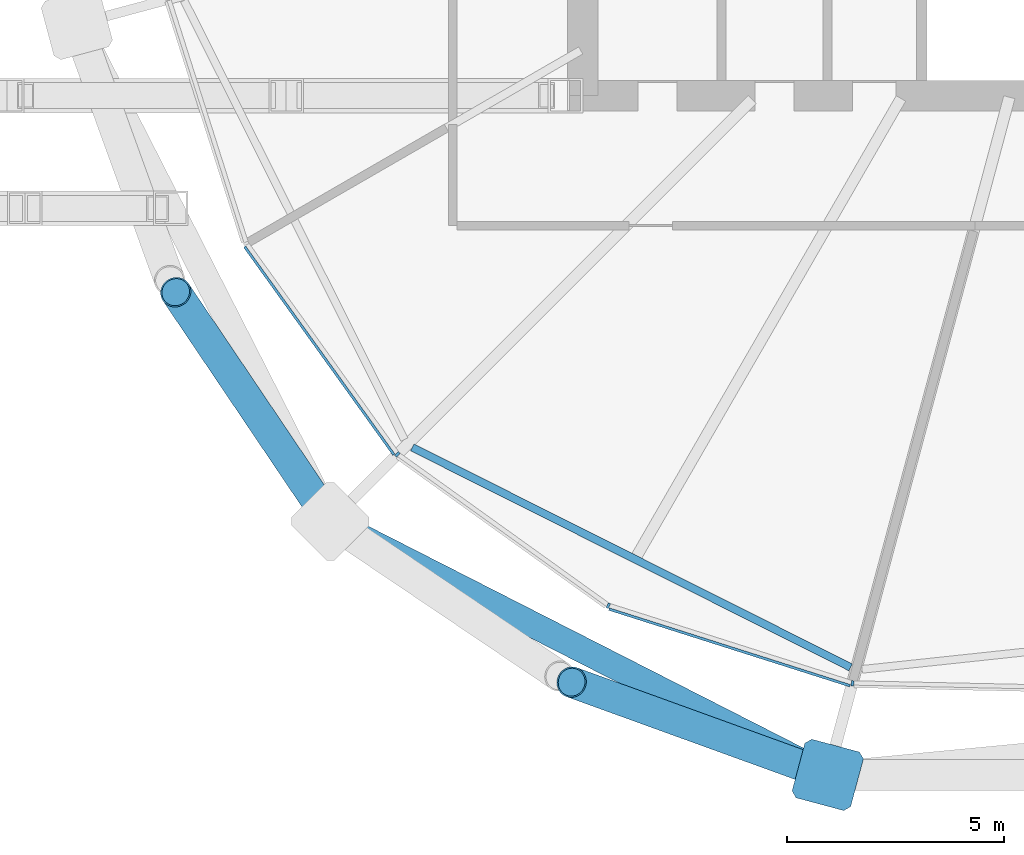
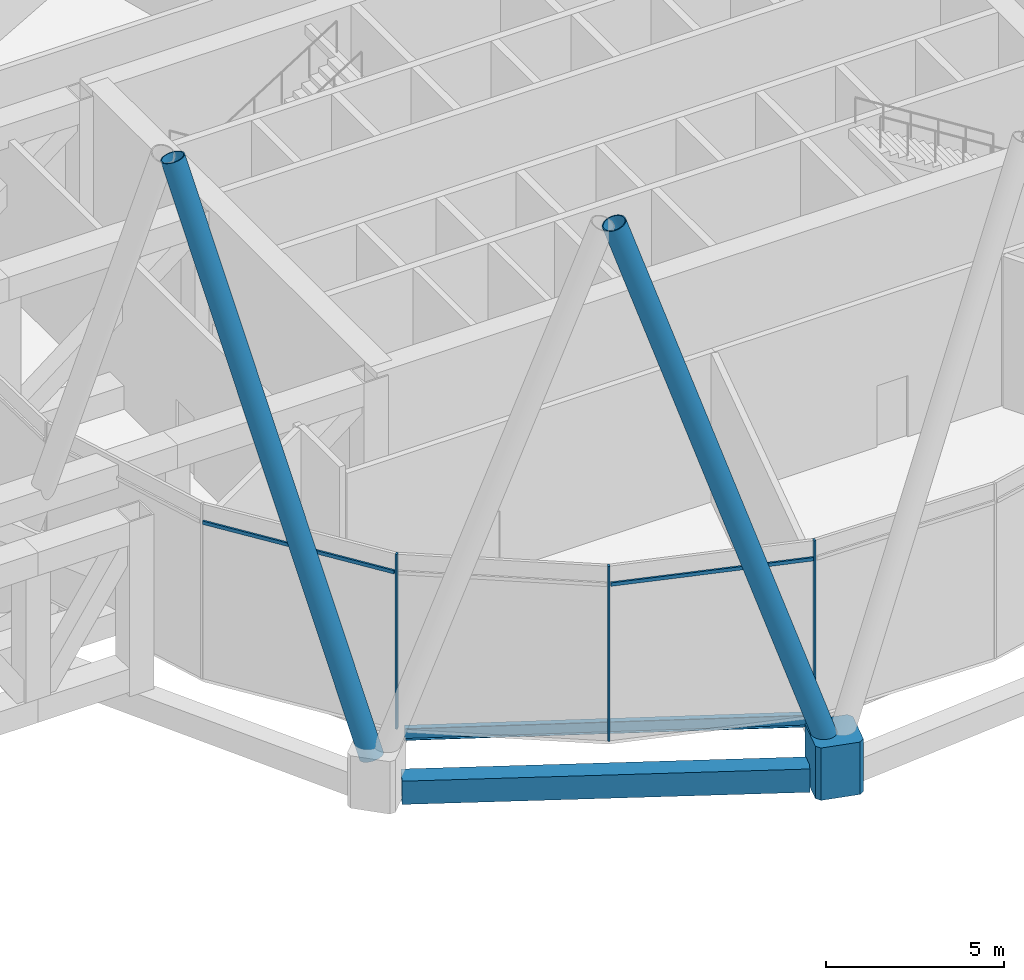
# One storey, part 18 of 39: 8 members, 2 beams, 1 element without a shape of its own.
"""IFC4 building model written with IfcOpenShell, lengths in metres."""

import ifcopenshell
import ifcopenshell.guid

model = None  # the IFC model being written
_history = None  # IfcOwnerHistory: only IFC2X3 demands one
_inside = {}  # id of a spatial element -> (the spatial element, [elements in it])
_under = {}  # id of a project, library or spatial element -> (it, [spatial elements below it])
_declared = {}  # id of a project -> (the project, [libraries it declares])
_typed = {}  # id of a type object -> (the type object, [elements of that type])
_made_of = {}  # id of a material, layer set ... -> (it, [elements and type objects made of it])


def new_model(schema):
    """Start an empty IFC model of exactly this schema.

    Asked for "IFC4X3", IfcOpenShell would pick the latest addendum, in which some entities
    have other attributes; the version numbers below select the first issue.
    IFC2X3 requires an IfcOwnerHistory on every rooted entity: one is made here for all.
    """
    global model, _history
    if schema == "IFC4X3":
        model = ifcopenshell.file(schema_version=(4, 3, 0, 0))
    else:
        model = ifcopenshell.file(schema=schema)
    _inside.clear()
    _under.clear()
    _declared.clear()
    _typed.clear()
    _made_of.clear()
    _history = None
    if model.schema == "IFC2X3":
        org = make("IfcOrganization", Name="unknown")
        user = make(
            "IfcPersonAndOrganization",
            ThePerson=make("IfcPerson", FamilyName="unknown"),
            TheOrganization=org,
        )
        app = make(
            "IfcApplication",
            ApplicationDeveloper=org,
            Version="unknown",
            ApplicationFullName="unknown",
            ApplicationIdentifier="unknown",
        )
        _history = make(
            "IfcOwnerHistory",
            OwningUser=user,
            OwningApplication=app,
            ChangeAction="ADDED",
            CreationDate=0,
        )
    return model


def make(cls, **values):
    """One entity of the class cls with the attributes given. An attribute that is None is left unset."""
    return model.create_entity(
        cls, **{name: value for name, value in values.items() if value is not None}
    )


def rooted(cls, **values):
    """An entity with a GlobalId (a new one), such as an element, a storey or a relation."""
    return make(cls, GlobalId=ifcopenshell.guid.new(), OwnerHistory=_history, **values)


def si_unit(unit_type, name, prefix=None):
    """IfcSIUnit, for example si_unit("LENGTHUNIT", "METRE", prefix="MILLI")."""
    return make("IfcSIUnit", UnitType=unit_type, Prefix=prefix, Name=name)


def assignment(units):
    """IfcUnitAssignment: the units of a project."""
    return None if units is None else make("IfcUnitAssignment", Units=units)


def point(xyz):
    """IfcCartesianPoint."""
    return None if xyz is None else make("IfcCartesianPoint", Coordinates=xyz)


def direction(xyz):
    """IfcDirection."""
    return None if xyz is None else make("IfcDirection", DirectionRatios=xyz)


def frame(location, z_axis=None, x_axis=None):
    """IfcAxis2Placement3D, a coordinate frame: its origin and axes. An axis left out is left unset."""
    return make(
        "IfcAxis2Placement3D",
        Location=point(location),
        Axis=direction(z_axis),
        RefDirection=direction(x_axis),
    )


def frame_2d(location, x_axis=None):
    """IfcAxis2Placement2D, a coordinate frame in the plane: its origin and x axis."""
    return make(
        "IfcAxis2Placement2D", Location=point(location), RefDirection=direction(x_axis)
    )


def origin():
    """The frame at (0, 0, 0) with its axes left unset."""
    return frame((0.0, 0.0, 0.0))


def origin_2d():
    """The frame at (0, 0) in the plane with its x axis left unset."""
    return frame_2d((0.0, 0.0))


def place(relative_to, where):
    """IfcLocalPlacement: puts the frame where relative to a parent placement (None: the world)."""
    return make(
        "IfcLocalPlacement", PlacementRelTo=relative_to, RelativePlacement=where
    )


def context(
    kind, dimensions, precision=None, world=None, true_north=None, identifier=None
):
    """IfcGeometricRepresentationContext, for example the 3D "Model" context."""
    return make(
        "IfcGeometricRepresentationContext",
        ContextIdentifier=identifier,
        ContextType=kind,
        CoordinateSpaceDimension=dimensions,
        Precision=precision,
        WorldCoordinateSystem=world,
        TrueNorth=true_north,
    )


def subcontext(parent, identifier, kind, view, scale=None):
    """IfcGeometricRepresentationSubContext, for example "Body" below "Model"."""
    return make(
        "IfcGeometricRepresentationSubContext",
        ContextIdentifier=identifier,
        ContextType=kind,
        ParentContext=parent,
        TargetScale=scale,
        TargetView=view,
    )


def project(units=None, contexts=None):
    """IfcProject with its units and contexts."""
    return rooted(
        "IfcProject",
        Name="project",
        RepresentationContexts=contexts,
        UnitsInContext=assignment(units),
    )


def spatial(cls, under=None, at=None, **own):
    """A site, building, storey or space (cls), placed at a placement, below another one or the project."""
    s = rooted(cls, ObjectPlacement=at, **own)
    if under is not None:
        _under.setdefault(under.id(), (under, []))[1].append(s)
    return s


def polyline(points):
    """IfcPolyline through the points."""
    return make("IfcPolyline", Points=[point(p) for p in points])


def profile(cls, at=None, kind="AREA", **sizes):
    """A parametric profile (cls). Its sizes go by their IFC names, for example OverallWidth=200.0."""
    return make(cls, ProfileType=kind, Position=at, **sizes)


def rectangle(**sizes):
    """IfcRectangleProfileDef."""
    return profile("IfcRectangleProfileDef", **sizes)


def hollow_rectangle(**sizes):
    """IfcRectangleHollowProfileDef."""
    return profile("IfcRectangleHollowProfileDef", **sizes)


def hollow_circle(**sizes):
    """IfcCircleHollowProfileDef."""
    return profile("IfcCircleHollowProfileDef", **sizes)


def i_section(**sizes):
    """IfcIShapeProfileDef."""
    return profile("IfcIShapeProfileDef", **sizes)


def outline(outer, holes=None, kind="AREA"):
    """IfcArbitraryClosedProfileDef: a profile drawn as a closed curve; with holes, ...WithVoids."""
    if holes is None:
        return make("IfcArbitraryClosedProfileDef", ProfileType=kind, OuterCurve=outer)
    return make(
        "IfcArbitraryProfileDefWithVoids",
        ProfileType=kind,
        OuterCurve=outer,
        InnerCurves=holes,
    )


def extrude(swept, where, along, depth):
    """IfcExtrudedAreaSolid: the profile swept, set in the frame where, extruded along a direction by depth."""
    return make(
        "IfcExtrudedAreaSolid",
        SweptArea=swept,
        Position=where,
        ExtrudedDirection=direction(along),
        Depth=depth,
    )


def shape(context_of_items, identifier, shape_type, items):
    """IfcShapeRepresentation: the items that make up one representation, for example the "Body"."""
    return make(
        "IfcShapeRepresentation",
        ContextOfItems=context_of_items,
        RepresentationIdentifier=identifier,
        RepresentationType=shape_type,
        Items=items,
    )


def material(Name=None, Category=None):
    """IfcMaterial."""
    return make("IfcMaterial", Name=Name, Category=Category)


def material_profile(
    of_material, cross_section, Name=None, Category=None, Priority=None
):
    """IfcMaterialProfile: a cross section and its material."""
    return make(
        "IfcMaterialProfile",
        Name=Name,
        Material=of_material,
        Profile=cross_section,
        Priority=Priority,
        Category=Category,
    )


def profile_set(profiles, Name=None, composite=None):
    """IfcMaterialProfileSet."""
    return make(
        "IfcMaterialProfileSet",
        Name=Name,
        MaterialProfiles=profiles,
        CompositeProfile=composite,
    )


def made_of(thing, what):
    """Note that an element or type object is made of a material, layer set ...; save() writes the relation."""
    if what is not None:
        _made_of.setdefault(what.id(), (what, []))[1].append(thing)
    return thing


def type_object(cls, material=None, **own):
    """A type object (cls), such as IfcWallType, which elements share."""
    return made_of(rooted(cls, **own), material)


def element(
    cls,
    number,
    at=None,
    inside=None,
    cuts=None,
    type_object=None,
    material=None,
    context=None,
    identifier="Body",
    shape_type=None,
    held_by="IfcProductDefinitionShape",
    body=None,
    shapes=None,
    **own,
):
    """One element of the class cls, such as IfcWall. Its Tag is "e" and its number.

    at: its placement. inside: the storey or other place that contains it. cuts: it is an
    opening in that element (IfcRelVoidsElement). A single representation is given by context,
    identifier, shape_type and body (its items); several are given by shapes. held_by: the class
    of the entity that holds the representations. save() writes the other relations.
    """
    e = rooted(cls, Tag="e%d" % number, ObjectPlacement=at, **own)
    if body is not None:
        shapes = [shape(context, identifier, shape_type, body)]
    if shapes is not None:
        e.Representation = make(held_by, Representations=shapes)
    if inside is not None:
        _inside.setdefault(inside.id(), (inside, []))[1].append(e)
    if cuts is not None:
        rooted(
            "IfcRelVoidsElement", RelatingBuildingElement=cuts, RelatedOpeningElement=e
        )
    if type_object is not None:
        _typed.setdefault(type_object.id(), (type_object, []))[1].append(e)
    return made_of(e, material)


def aggregate(whole, parts):
    """IfcRelAggregates: a whole, such as a stair, and the parts it consists of."""
    return rooted("IfcRelAggregates", RelatingObject=whole, RelatedObjects=parts)


def save(model, path):
    """Write the relations noted so far, then the file.

    IfcRelAggregates (storeys below a building ...), IfcRelContainedInSpatialStructure (elements
    in a storey), IfcRelDefinesByType, IfcRelAssociatesMaterial and IfcRelDeclares: one each for
    every whole, place, type object, material and project.
    """
    for whole, parts in _under.values():
        aggregate(whole, parts)
    for where, things in _inside.values():
        rooted(
            "IfcRelContainedInSpatialStructure",
            RelatedElements=things,
            RelatingStructure=where,
        )
    for kind, things in _typed.values():
        rooted("IfcRelDefinesByType", RelatedObjects=things, RelatingType=kind)
    for what, things in _made_of.values():
        rooted("IfcRelAssociatesMaterial", RelatedObjects=things, RelatingMaterial=what)
    for by, libraries in _declared.values():
        rooted("IfcRelDeclares", RelatingContext=by, RelatedDefinitions=libraries)
    model.write(path)


model = new_model("IFC4")

# Units and contexts
model_context = context("Model", 3, precision=1e-05, world=origin(), true_north=direction((0.0, 1.0)))
body_context = subcontext(model_context, "Body", "Model", "MODEL_VIEW")
ifc_project = project(units=[si_unit("LENGTHUNIT", "METRE"), si_unit("AREAUNIT", "SQUARE_METRE"), si_unit("VOLUMEUNIT", "CUBIC_METRE"), si_unit("PLANEANGLEUNIT", "RADIAN"), si_unit("MASSUNIT", "GRAM", prefix="KILO")], contexts=[model_context])

# Site, building, storey
site_placement = place(None, origin())
site = spatial("IfcSite", under=ifc_project, at=site_placement, CompositionType="ELEMENT")
building_placement = place(site_placement, origin())
building = spatial("IfcBuilding", under=site, at=building_placement, Name="Rimbun Link Towers", CompositionType="ELEMENT")
storey_placement = place(building_placement, frame((0.0, 0.0, 127.199951171875)))
storey = spatial("IfcBuildingStorey", under=building, at=storey_placement, Name="L31", CompositionType="ELEMENT", Elevation=127.199951171875)

# Curtain wall, members
ifc_material_1 = material(Name="Aluminium 6063-T6 louvre wall", Category="aluminium")
curtain_wall_type = type_object("IfcCurtainWallType", Name="CW6 plant floor louvre wall", PredefinedType="NOTDEFINED", material=ifc_material_1)
curtain_wall_placement = place(storey_placement, origin())
curtain_wall = element("IfcCurtainWall", 1, at=curtain_wall_placement, inside=storey, type_object=curtain_wall_type, Name="CW6 L31 T2", PredefinedType="NOTDEFINED")
ifc_material_2 = material(Name="Aluminium 6063-T6", Category="aluminium")
ifc_material_profile_1 = material_profile(ifc_material_2, rectangle(XDim=0.1201171875, YDim=0.06005859375, at=origin_2d()), Name="MULLION 60X120")
ifc_profile_set_1 = profile_set([ifc_material_profile_1], Name="Aluminium 6063-T6")
member_type_1 = type_object("IfcMemberType", Name="CW6 mullion 60X120", PredefinedType="MULLION", material=ifc_profile_set_1)
member_1_placement = place(storey_placement, frame((15.46875, -16.28125, 0.0), z_axis=(0.0, 0.0, 1.0), x_axis=(-0.707106781187, -0.707106781187, 0.0)))
member_1 = element("IfcMember", 2, at=member_1_placement, type_object=member_type_1, Name="CW6 mullion", PredefinedType="MULLION", context=body_context, shape_type="SweptSolid", body=[
    extrude(rectangle(XDim=0.1201171875, YDim=0.06005859375, at=origin_2d()), origin(), (0.0, 0.0, 1.0), 6.0),
])
member_2_placement = place(storey_placement, frame((20.337158203125, -19.774658203125, 0.0), z_axis=(0.0, 0.0, 1.0), x_axis=(-0.448574619933, -0.893745383402, 0.0)))
member_2 = element("IfcMember", 3, at=member_2_placement, type_object=member_type_1, Name="CW6 mullion", PredefinedType="MULLION", context=body_context, shape_type="SweptSolid", body=[
    extrude(rectangle(XDim=0.1201171875, YDim=0.06005859375, at=origin_2d()), origin(), (0.0, 0.0, 1.0), 6.0),
])
member_3_placement = place(storey_placement, frame((25.976806640625, -21.568359375, 0.0), z_axis=(0.0, 0.0, 1.0), x_axis=(-0.163750689273, -0.986501754566, 0.0)))
member_3 = element("IfcMember", 4, at=member_3_placement, type_object=member_type_1, Name="CW6 mullion", PredefinedType="MULLION", context=body_context, shape_type="SweptSolid", body=[
    extrude(rectangle(XDim=0.1201171875, YDim=0.06005859375, at=origin_2d()), origin(), (0.0, 0.0, 1.0), 6.0),
])
ifc_material_3 = material(Name="Aluminium 6063-T6", Category="aluminium")
ifc_material_profile_2 = material_profile(ifc_material_3, rectangle(XDim=0.06005859375, YDim=0.1201171875, at=origin_2d()), Name="TRANSOM 60X120")
ifc_profile_set_2 = profile_set([ifc_material_profile_2], Name="Aluminium 6063-T6")
member_type_2 = type_object("IfcMemberType", Name="CW6 transom 60X120", PredefinedType="USERDEFINED", material=ifc_profile_set_2)
member_4_placement = place(storey_placement, frame((15.38818359375, -16.290283203125, 5.400146484375), z_axis=(-0.582994391315, 0.812476177925, 0.0), x_axis=(-0.812476177925, -0.582994391315, 0.0)))
member_4 = element("IfcMember", 5, at=member_4_placement, type_object=member_type_2, Name="CW6 transom", ObjectType="TRANSOM", PredefinedType="USERDEFINED", context=body_context, shape_type="SweptSolid", body=[
    extrude(rectangle(XDim=0.06005859375, YDim=0.1201171875, at=origin_2d()), origin(), (0.0, 0.0, 1.0), 5.9130859375),
])
member_5_placement = place(storey_placement, frame((25.918701171875, -21.6240234375, 5.400146484375), z_axis=(-0.952965301455, 0.303079419001, 0.0), x_axis=(-0.303079419001, -0.952965301455, 0.0)))
member_5 = element("IfcMember", 6, at=member_5_placement, type_object=member_type_2, Name="CW6 transom", ObjectType="TRANSOM", PredefinedType="USERDEFINED", context=body_context, shape_type="SweptSolid", body=[
    extrude(rectangle(XDim=0.06005859375, YDim=0.1201171875, at=origin_2d()), origin(), (0.0, 0.0, 1.0), 5.840087890625),
])
aggregate(curtain_wall, [member_1, member_2, member_3, member_4, member_5])

# Members
ifc_material_4 = material(Name="Steel S460NH", Category="steel")
ifc_material_profile_3 = material_profile(ifc_material_4, hollow_circle(Radius=0.355712890625, WallThickness=0.031982421875, at=origin_2d()), Name="Diagrid diagonal CHS 711x32")
ifc_profile_set_3 = profile_set([ifc_material_profile_3], Name="Steel S460NH")
member_type_3 = type_object("IfcMemberType", Name="Diagrid diagonal CHS 711x32", PredefinedType="BRACE", material=ifc_profile_set_3)
member_6_placement = place(storey_placement, frame((13.831787109375, -17.698486328125, 0.474365234375), z_axis=(-0.177043579974, 0.262492343379, 0.948553288149), x_axis=(-0.829051835426, -0.559171757313, 0.0)))
element("IfcMember", 7, at=member_6_placement, inside=storey, type_object=member_type_3, Name="Diagrid diagonal T2 L31-L35 12a", PredefinedType="BRACE", context=body_context, shape_type="SweptSolid", body=[
    extrude(hollow_circle(Radius=0.355712890625, WallThickness=0.031982421875, at=origin_2d()), origin(), (0.0, 0.0, 1.0), 19.662841796875),
])
member_7_placement = place(storey_placement, frame((25.25732421875, -23.62939453125, 0.47509765625), z_axis=(-0.293716404016, 0.106374110672, 0.949955379263), x_axis=(-0.340521787386, -0.940236625704, 0.0)))
element("IfcMember", 8, at=member_7_placement, inside=storey, type_object=member_type_3, Name="Diagrid diagonal T2 L31-L35 14a", PredefinedType="BRACE", context=body_context, shape_type="SweptSolid", body=[
    extrude(hollow_circle(Radius=0.355712890625, WallThickness=0.031982421875, at=origin_2d()), origin(), (0.0, 0.0, 1.0), 19.63232421875),
])
ifc_material_5 = material(Name="Cast steel G20Mn5+QT, Rp0.2 300 MPa", Category="steel")
ifc_material_profile_4 = material_profile(ifc_material_5, outline(polyline([(0.699951171875, -0.570068359375), (0.699951171875, 0.570068359375), (0.570068359375, 0.699951171875), (-0.570068359375, 0.699951171875), (-0.699951171875, 0.570068359375), (-0.699951171875, -0.570068359375), (-0.570068359375, -0.699951171875), (0.570068359375, -0.699951171875), (0.699951171875, -0.570068359375)])), Name="NODE 1400x1400")
ifc_profile_set_4 = profile_set([ifc_material_profile_4], Name="Cast steel G20Mn5+QT, Rp0.2 300 MPa")
member_type_4 = type_object("IfcMemberType", Name="Diagrid node cast 1400", PredefinedType="USERDEFINED", material=ifc_profile_set_4)
member_8_placement = place(storey_placement, frame((25.404296875, -23.6826171875, -0.89990234375), z_axis=(0.0, 0.0, 1.0), x_axis=(-0.258819045103, -0.965925826289, 0.0)))
element("IfcMember", 9, at=member_8_placement, inside=storey, type_object=member_type_4, Name="Diagrid node L31 14", ObjectType="Diagrid node", PredefinedType="USERDEFINED", context=body_context, shape_type="SweptSolid", body=[
    extrude(outline(polyline([(0.699951171875, -0.570068359375), (0.699951171875, 0.570068359375), (0.570068359375, 0.699951171875), (-0.570068359375, 0.699951171875), (-0.699951171875, 0.570068359375), (-0.699951171875, -0.570068359375), (-0.570068359375, -0.699951171875), (0.570068359375, -0.699951171875), (0.699951171875, -0.570068359375)])), origin(), (0.0, 0.0, 1.0), 1.800048828125),
])

# Beams
ifc_material_6 = material(Name="Steel S355J2", Category="steel")
ifc_material_profile_5 = material_profile(ifc_material_6, hollow_rectangle(XDim=0.60009765625, YDim=0.800048828125, WallThickness=0.0400390625, at=origin_2d()), Name="Exoskeleton ring girder BOX 600x800x40")
ifc_profile_set_5 = profile_set([ifc_material_profile_5], Name="Steel S355J2")
beam_type_1 = type_object("IfcBeamType", Name="Exoskeleton ring girder BOX 600x800x40", PredefinedType="BEAM", material=ifc_profile_set_5)
beam_1_placement = place(storey_placement, frame((14.5439453125, -18.147705078125, -0.56005859375), z_axis=(0.890962618974, -0.454076658276, 0.0), x_axis=(0.454076658276, 0.890962618974, 0.0)))
element("IfcBeam", 10, at=beam_1_placement, inside=storey, type_object=beam_type_1, Name="Exoskeleton ring girder L31 06", PredefinedType="BEAM", context=body_context, shape_type="SweptSolid", body=[
    extrude(hollow_rectangle(XDim=0.60009765625, YDim=0.800048828125, WallThickness=0.0400390625, at=origin_2d()), origin(), (0.0, 0.0, 1.0), 11.4892578125),
])
ifc_material_7 = material(Name="Steel S355J2", Category="steel")
ifc_material_profile_6 = material_profile(ifc_material_7, i_section(OverallWidth=0.177978515625, OverallDepth=0.406494140625, WebThickness=0.0078125, FlangeThickness=0.0126953125, at=origin_2d()), Name="UB 406x178x60")
ifc_profile_set_6 = profile_set([ifc_material_profile_6], Name="Steel S355J2")
beam_type_2 = type_object("IfcBeamType", Name="UB 406x178x60", PredefinedType="BEAM", material=ifc_profile_set_6)
beam_2_placement = place(storey_placement, frame((15.810791015625, -16.1201171875, -0.383056640625), z_axis=(0.893757776466, -0.448549926994, 0.0), x_axis=(0.448549926994, 0.893757776466, 0.0)))
element("IfcBeam", 11, at=beam_2_placement, inside=storey, type_object=beam_type_2, Name="Edge beam T2 L31 12-14", PredefinedType="BEAM", context=body_context, shape_type="SweptSolid", body=[
    extrude(i_section(OverallWidth=0.177978515625, OverallDepth=0.406494140625, WebThickness=0.0078125, FlangeThickness=0.0126953125, at=origin_2d()), origin(), (0.0, 0.0, 1.0), 11.32275390625),
])

save(model, "model.ifc")
